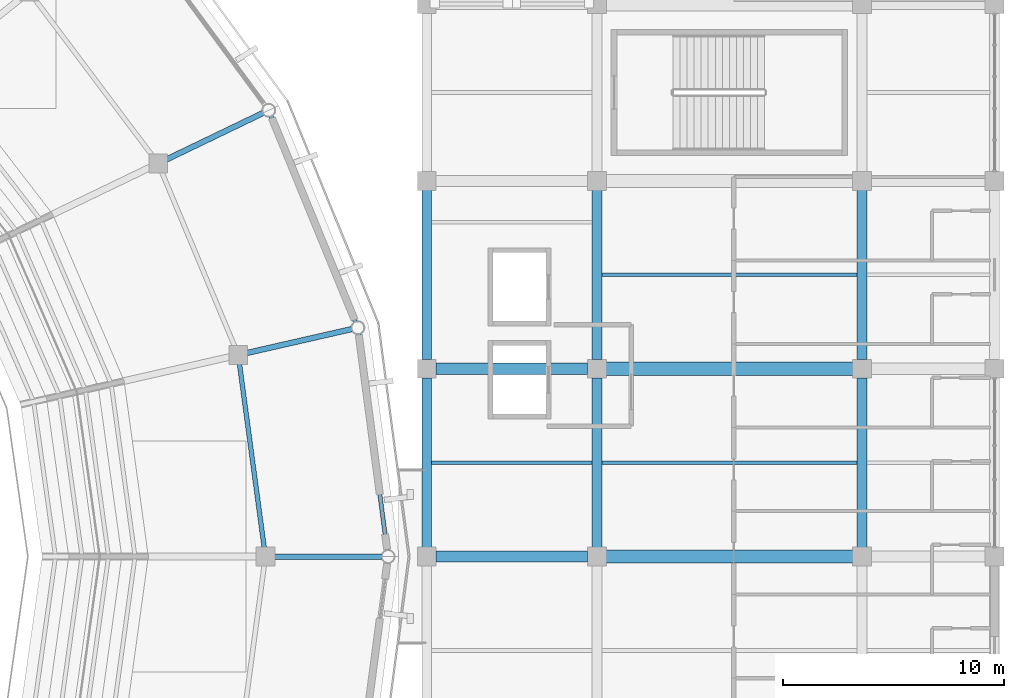
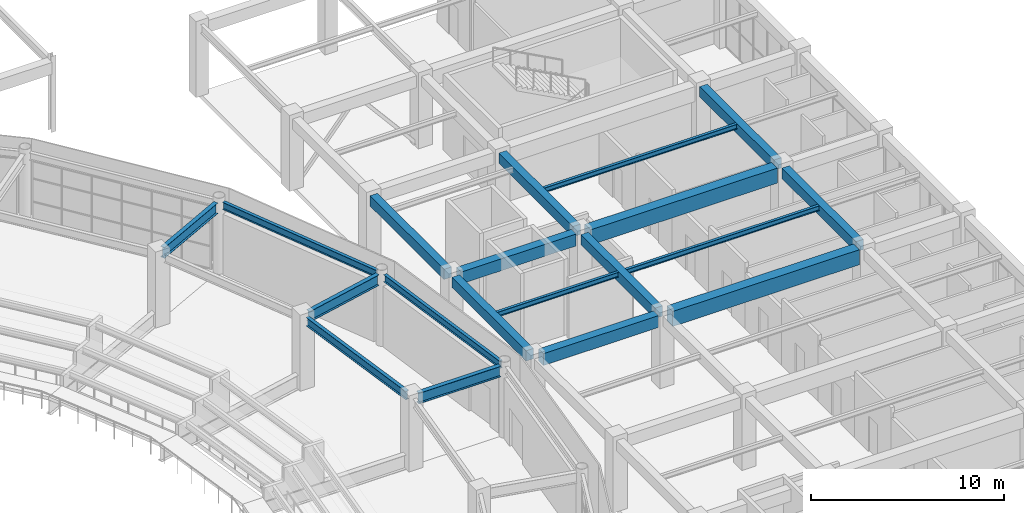
# One storey, part 68 of 122: 19 beams.
"""IFC4 building model written with IfcOpenShell, lengths in metres."""

from ifc_helpers import new_model, si_unit, direction, frame, origin, origin_2d, place, context, subcontext, project, spatial, rectangle, i_section, extrude, material, material_profile, profile_set, type_object, element, save


model = new_model("IFC4")

# Units and contexts
model_context = context("Model", 3, precision=1e-05, world=origin(), true_north=direction((0.0, 1.0)))
body_context = subcontext(model_context, "Body", "Model", "MODEL_VIEW")
ifc_project = project(units=[si_unit("LENGTHUNIT", "METRE"), si_unit("AREAUNIT", "SQUARE_METRE"), si_unit("VOLUMEUNIT", "CUBIC_METRE"), si_unit("PLANEANGLEUNIT", "RADIAN"), si_unit("MASSUNIT", "GRAM", prefix="KILO")], contexts=[model_context])

# Site, building, storey
site_placement = place(None, origin())
site = spatial("IfcSite", under=ifc_project, at=site_placement, CompositionType="ELEMENT")
building_placement = place(site_placement, origin())
building = spatial("IfcBuilding", under=site, at=building_placement, Name="Cuetzalor Civic Arena", CompositionType="ELEMENT")
storey_placement = place(building_placement, frame((0.0, 0.0, 16.199951171875)))
storey = spatial("IfcBuildingStorey", under=building, at=storey_placement, Name="L03", CompositionType="ELEMENT", Elevation=16.199951171875)

# Beams
ifc_material_1 = material(Name="Concrete C40/50", Category="concrete")
ifc_material_profile_1 = material_profile(ifc_material_1, rectangle(XDim=0.5, YDim=0.75, at=origin_2d()), Name="RC 500x750")
ifc_profile_set_1 = profile_set([ifc_material_profile_1], Name="Concrete C40/50")
beam_type_1 = type_object("IfcBeamType", Name="ConcreteFrameBeam_500x750", PredefinedType="BEAM", material=ifc_profile_set_1)
for number, where, z_axis, x_axis, name in (
    (1, (56.715087890625, 0.0, 4.14501953125), (1.0, 0.0, 0.0), (0.0, 1.0, 0.0), "Frame Girder V4E-L03-X0974"),
    (2, (56.715087890625, 8.5, 4.14501953125), (1.0, 0.0, 0.0), (0.0, 1.0, 0.0), "Frame Girder V4E-L03-X0977"),
):
    element("IfcBeam", number, at=place(storey_placement, frame(where, z_axis=z_axis, x_axis=x_axis)), inside=storey, type_object=beam_type_1, Name=name, PredefinedType="BEAM", context=body_context, shape_type="SweptSolid", body=[
        extrude(rectangle(XDim=0.5, YDim=0.75, at=origin_2d()), origin(), (0.0, 0.0, 1.0), 6.869873046875),
    ])
ifc_material_2 = material(Name="Concrete C40/50", Category="concrete")
ifc_material_profile_2 = material_profile(ifc_material_2, rectangle(XDim=0.60009765625, YDim=0.949951171875, at=origin_2d()), Name="RC 600x950")
ifc_profile_set_2 = profile_set([ifc_material_profile_2], Name="Concrete C40/50")
beam_type_2 = type_object("IfcBeamType", Name="ConcreteFrameBeam_600x950", PredefinedType="BEAM", material=ifc_profile_set_2)
for number, where, z_axis, x_axis, name in (
    (3, (64.4150390625, 0.0, 4.045166015625), (1.0, 0.0, 0.0), (0.0, 1.0, 0.0), "Frame Girder V4E-L03-X0975"),
    (4, (64.4150390625, 8.5, 4.045166015625), (1.0, 0.0, 0.0), (0.0, 1.0, 0.0), "Frame Girder V4E-L03-X0978"),
):
    element("IfcBeam", number, at=place(storey_placement, frame(where, z_axis=z_axis, x_axis=x_axis)), inside=storey, type_object=beam_type_2, Name=name, PredefinedType="BEAM", context=body_context, shape_type="SweptSolid", body=[
        extrude(rectangle(XDim=0.60009765625, YDim=0.949951171875, at=origin_2d()), origin(), (0.0, 0.0, 1.0), 11.169921875),
    ])
ifc_material_3 = material(Name="Concrete C40/50", Category="concrete")
ifc_material_profile_3 = material_profile(ifc_material_3, rectangle(XDim=0.449951171875, YDim=0.64990234375, at=origin_2d()), Name="RC 450x650")
ifc_profile_set_3 = profile_set([ifc_material_profile_3], Name="Concrete C40/50")
beam_type_3 = type_object("IfcBeamType", Name="ConcreteTieBeam_450x650", PredefinedType="BEAM", material=ifc_profile_set_3)
for number, where, z_axis, x_axis, name in (
    (5, (56.300048828125, 0.4150390625, 4.195068359375), (0.0, 1.0, 0.0), (-1.0, 0.0, 0.0), "Frame Girder V4E-L03-Y0995"),
    (6, (56.300048828125, 8.9150390625, 4.195068359375), (0.0, 1.0, 0.0), (-1.0, 0.0, 0.0), "Frame Girder V4E-L03-Y0996"),
    (7, (64.0, 0.4150390625, 4.195068359375), (0.0, 1.0, 0.0), (-1.0, 0.0, 0.0), "Frame Girder V4E-L03-Y1005"),
    (8, (64.0, 8.9150390625, 4.195068359375), (0.0, 1.0, 0.0), (-1.0, 0.0, 0.0), "Frame Girder V4E-L03-Y1006"),
    (9, (76.0, 0.4150390625, 4.195068359375), (0.0, 1.0, 0.0), (-1.0, 0.0, 0.0), "Frame Girder V4E-L03-Y1015"),
    (10, (76.0, 8.9150390625, 4.195068359375), (0.0, 1.0, 0.0), (-1.0, 0.0, 0.0), "Frame Girder V4E-L03-Y1016"),
):
    element("IfcBeam", number, at=place(storey_placement, frame(where, z_axis=z_axis, x_axis=x_axis)), inside=storey, type_object=beam_type_3, Name=name, PredefinedType="BEAM", context=body_context, shape_type="SweptSolid", body=[
        extrude(rectangle(XDim=0.449951171875, YDim=0.64990234375, at=origin_2d()), origin(), (0.0, 0.0, 1.0), 7.669921875),
    ])
ifc_material_4 = material(Name="Steel S355", Category="steel")
ifc_material_profile_4 = material_profile(ifc_material_4, i_section(OverallWidth=0.18994140625, OverallDepth=0.45703125, WebThickness=0.009033203125, FlangeThickness=0.014404296875, at=origin_2d()), Name="W460x74")
ifc_profile_set_4 = profile_set([ifc_material_profile_4], Name="Steel S355")
beam_type_4 = type_object("IfcBeamType", Name="FacadeSpandrelBeam_W460", PredefinedType="SPANDREL", material=ifc_profile_set_4)
beam_1_placement = place(storey_placement, frame((54.511962890625, 0.28759765625, 4.29150390625), z_axis=(-0.130901206694, 0.991395417624, 0.0), x_axis=(-0.991395417624, -0.130901206694, 0.0)))
element("IfcBeam", 11, at=beam_1_placement, inside=storey, type_object=beam_type_4, Name="Drum Perimeter Spandrel L03-S01", PredefinedType="SPANDREL", context=body_context, shape_type="SweptSolid", body=[
    extrude(i_section(OverallWidth=0.18994140625, OverallDepth=0.45703125, WebThickness=0.009033203125, FlangeThickness=0.014404296875, at=origin_2d()), origin(), (0.0, 0.0, 1.0), 9.8681640625),
])
beam_2_placement = place(storey_placement, frame((53.072265625, 10.626708984375, 4.29150390625), z_axis=(-0.379398599643, 0.925233323324, 0.0), x_axis=(-0.925233323324, -0.379398599643, 0.0)))
element("IfcBeam", 12, at=beam_2_placement, inside=storey, type_object=beam_type_4, Name="Drum Perimeter Spandrel L03-S02", PredefinedType="SPANDREL", context=body_context, shape_type="SweptSolid", body=[
    extrude(i_section(OverallWidth=0.18994140625, OverallDepth=0.45703125, WebThickness=0.009033203125, FlangeThickness=0.014404296875, at=origin_2d()), origin(), (0.0, 0.0, 1.0), 10.053955078125),
])
ifc_material_5 = material(Name="Steel S355", Category="steel")
ifc_material_profile_5 = material_profile(ifc_material_5, i_section(OverallWidth=0.166015625, OverallDepth=0.31298828125, WebThickness=0.006591796875, FlangeThickness=0.01123046875, at=origin_2d()), Name="W310x45")
ifc_profile_set_5 = profile_set([ifc_material_profile_5], Name="Steel S355")
beam_type_5 = type_object("IfcBeamType", Name="SecondaryRoofJoist_W310", PredefinedType="JOIST", material=ifc_profile_set_5)
beam_3_placement = place(storey_placement, frame((56.51708984375, 4.25, 4.363525390625), z_axis=(1.0, 0.0, 0.0), x_axis=(0.0, 1.0, 0.0)))
element("IfcBeam", 13, at=beam_3_placement, inside=storey, type_object=beam_type_5, Name="Secondary Floor Joist V4E-L03-0298", PredefinedType="JOIST", context=body_context, shape_type="SweptSolid", body=[
    extrude(i_section(OverallWidth=0.166015625, OverallDepth=0.31298828125, WebThickness=0.006591796875, FlangeThickness=0.01123046875, at=origin_2d()), origin(), (0.0, 0.0, 1.0), 7.265869140625),
])
for number, where, z_axis, x_axis, name in (
    (14, (64.217041015625, 4.25, 4.363525390625), (1.0, 0.0, 0.0), (0.0, 1.0, 0.0), "Secondary Floor Joist V4E-L03-0306"),
    (15, (64.217041015625, 12.75, 4.363525390625), (1.0, 0.0, 0.0), (0.0, 1.0, 0.0), "Secondary Floor Joist V4E-L03-0307"),
):
    element("IfcBeam", number, at=place(storey_placement, frame(where, z_axis=z_axis, x_axis=x_axis)), inside=storey, type_object=beam_type_5, Name=name, PredefinedType="JOIST", context=body_context, shape_type="SweptSolid", body=[
        extrude(i_section(OverallWidth=0.166015625, OverallDepth=0.31298828125, WebThickness=0.006591796875, FlangeThickness=0.01123046875, at=origin_2d()), origin(), (0.0, 0.0, 1.0), 11.56591796875),
    ])
ifc_material_6 = material(Name="Steel S355", Category="steel")
ifc_material_profile_6 = material_profile(ifc_material_6, i_section(OverallWidth=0.208984375, OverallDepth=0.532958984375, WebThickness=0.01025390625, FlangeThickness=0.015625, at=origin_2d()), Name="W530x92")
ifc_profile_set_6 = profile_set([ifc_material_profile_6], Name="Steel S355")
beam_type_6 = type_object("IfcBeamType", Name="SteelCollarGirder_W530", PredefinedType="BEAM", material=ifc_profile_set_6)
beam_4_placement = place(storey_placement, frame((48.95068359375, 0.36669921875, 4.253662109375), z_axis=(-0.13346702922, 0.991053253923, 0.0), x_axis=(-0.991053253923, -0.13346702922, 0.0)))
element("IfcBeam", 16, at=beam_4_placement, inside=storey, type_object=beam_type_6, Name="Drum Concourse Ring Girder L03-S01", PredefinedType="BEAM", context=body_context, shape_type="SweptSolid", body=[
    extrude(i_section(OverallWidth=0.208984375, OverallDepth=0.532958984375, WebThickness=0.01025390625, FlangeThickness=0.015625, at=origin_2d()), origin(), (0.0, 0.0, 1.0), 8.465576171875),
])
ifc_material_7 = material(Name="Steel S355", Category="steel")
ifc_material_profile_7 = material_profile(ifc_material_7, i_section(OverallWidth=0.2529296875, OverallDepth=0.677978515625, WebThickness=0.01171875, FlangeThickness=0.016357421875, at=origin_2d()), Name="W690x125")
ifc_profile_set_7 = profile_set([ifc_material_profile_7], Name="Steel S355")
beam_type_7 = type_object("IfcBeamType", Name="SteelPrimaryGirder_W690", PredefinedType="BEAM", material=ifc_profile_set_7)
for number, where, z_axis, x_axis, name in (
    (17, (49.360107421875, 0.0, 4.18115234375), (1.0, 0.0, 0.0), (0.0, 1.0, 0.0), "Drum Radial Girder L03-R01"),
    (18, (48.12255859375, 9.20361328125, 4.18115234375), (0.974939153271, 0.222471677792, 0.0), (-0.222471677792, 0.974939153271, 0.0), "Drum Radial Girder L03-R02"),
):
    element("IfcBeam", number, at=place(storey_placement, frame(where, z_axis=z_axis, x_axis=x_axis)), inside=storey, type_object=beam_type_7, Name=name, PredefinedType="BEAM", context=body_context, shape_type="SweptSolid", body=[
        extrude(i_section(OverallWidth=0.2529296875, OverallDepth=0.677978515625, WebThickness=0.01171875, FlangeThickness=0.016357421875, at=origin_2d()), origin(), (0.0, 0.0, 1.0), 4.89990234375),
    ])
beam_5_placement = place(storey_placement, frame((44.4716796875, 17.9453125, 4.18115234375), z_axis=(0.900964883231, 0.433892013275, 0.0), x_axis=(-0.433892013275, 0.900964883231, 0.0)))
element("IfcBeam", 19, at=beam_5_placement, inside=storey, type_object=beam_type_7, Name="Drum Radial Girder L03-R03", PredefinedType="BEAM", context=body_context, shape_type="SweptSolid", body=[
    extrude(i_section(OverallWidth=0.2529296875, OverallDepth=0.677978515625, WebThickness=0.01171875, FlangeThickness=0.016357421875, at=origin_2d()), origin(), (0.0, 0.0, 1.0), 4.900390625),
])

save(model, "model.ifc")
